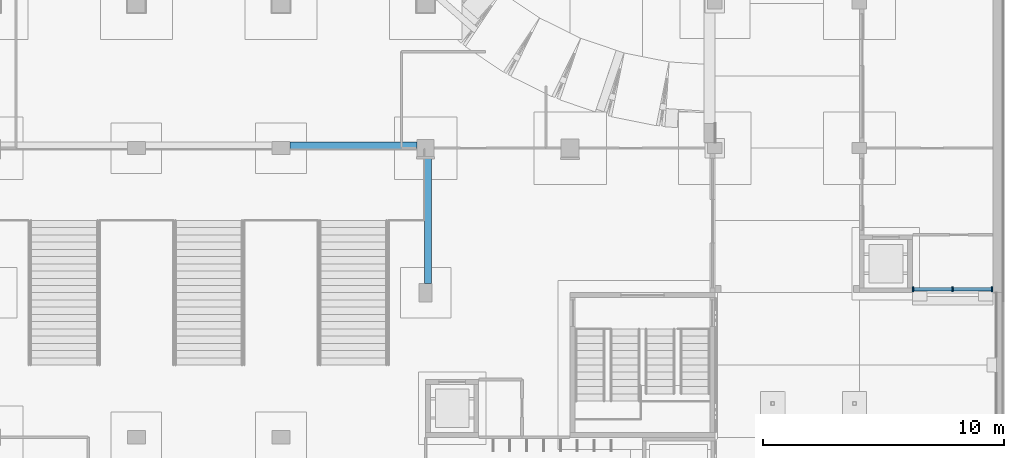
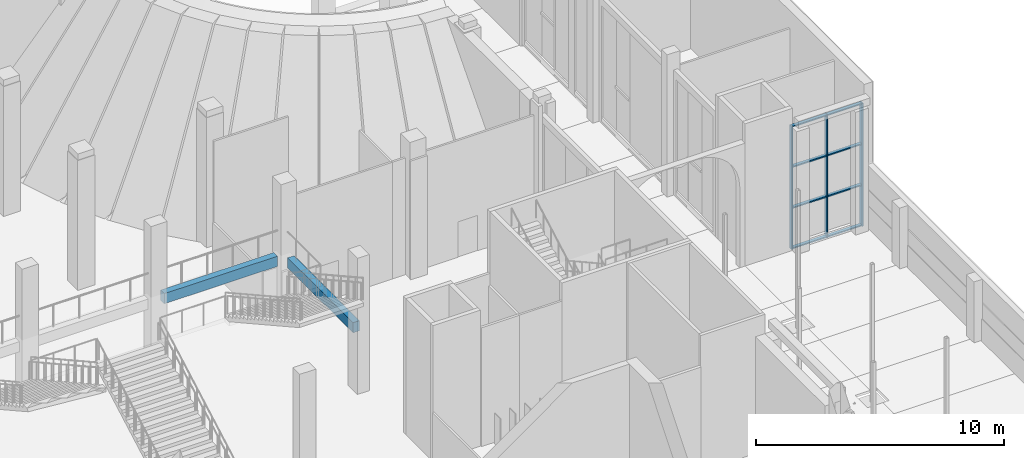
# One storey, part 27 of 95: 11 members, 2 beams, 1 element without a shape of its own.
"""IFC4 building model written with IfcOpenShell, lengths in metres."""

from ifc_helpers import new_model, si_unit, direction, frame, origin, origin_2d, place, context, subcontext, project, spatial, rectangle, extrude, material, material_profile, profile_set, type_object, element, aggregate, save


model = new_model("IFC4")

# Units and contexts
model_context = context("Model", 3, precision=1e-05, world=origin(), true_north=direction((0.0, 1.0)))
body_context = subcontext(model_context, "Body", "Model", "MODEL_VIEW")
ifc_project = project(units=[si_unit("LENGTHUNIT", "METRE"), si_unit("AREAUNIT", "SQUARE_METRE"), si_unit("VOLUMEUNIT", "CUBIC_METRE"), si_unit("PLANEANGLEUNIT", "RADIAN"), si_unit("MASSUNIT", "GRAM", prefix="KILO")], contexts=[model_context])

# Site, building, storey
site_placement = place(None, origin())
site = spatial("IfcSite", under=ifc_project, at=site_placement, CompositionType="ELEMENT")
building_placement = place(site_placement, origin())
building = spatial("IfcBuilding", under=site, at=building_placement, Name="Saffron Lane Theatres", CompositionType="ELEMENT")
storey_placement = place(building_placement, origin())
storey = spatial("IfcBuildingStorey", under=building, at=storey_placement, Name="L00", CompositionType="ELEMENT", Elevation=0.0)

# Curtain wall, members
ifc_material_1 = material(Name="Aluminium", Category="aluminium")
curtain_wall_type = type_object("IfcCurtainWallType", Name="EX-CURTAIN WALL 3340x6050x200", PredefinedType="NOTDEFINED", material=ifc_material_1)
curtain_wall_placement = place(storey_placement, origin())
curtain_wall = element("IfcCurtainWall", 1, at=curtain_wall_placement, inside=storey, type_object=curtain_wall_type, Name="Curtain wall L00 17", PredefinedType="NOTDEFINED")
ifc_material_2 = material(Name="Aluminium", Category="aluminium")
ifc_material_profile_1 = material_profile(ifc_material_2, rectangle(XDim=0.06005859375, YDim=0.199951171875, at=origin_2d()))
ifc_profile_set_1 = profile_set([ifc_material_profile_1], Name="Aluminium")
member_type_1 = type_object("IfcMemberType", Name="EX-CW MULLION 60x200", PredefinedType="MULLION", material=ifc_profile_set_1)
member_1_placement = place(storey_placement, frame((65.510009765625, 102.14990234375, 0.0), z_axis=(0.0, 0.0, 1.0), x_axis=(-1.0, 0.0, 0.0)))
member_1 = element("IfcMember", 2, at=member_1_placement, type_object=member_type_1, Name="CW-00-17 mullion 1", PredefinedType="MULLION", context=body_context, shape_type="SweptSolid", body=[
    extrude(rectangle(XDim=0.06005859375, YDim=0.199951171875, at=origin_2d()), origin(), (0.0, 0.0, 1.0), 6.050048828125),
])
member_2_placement = place(storey_placement, frame((63.869873046875, 102.14990234375, 0.0), z_axis=(0.0, 0.0, 1.0), x_axis=(-1.0, 0.0, 0.0)))
member_2 = element("IfcMember", 3, at=member_2_placement, type_object=member_type_1, Name="CW-00-17 mullion 2", PredefinedType="MULLION", context=body_context, shape_type="SweptSolid", body=[
    extrude(rectangle(XDim=0.06005859375, YDim=0.199951171875, at=origin_2d()), origin(), (0.0, 0.0, 1.0), 6.050048828125),
])
member_3_placement = place(storey_placement, frame((62.22998046875, 102.14990234375, 0.0), z_axis=(0.0, 0.0, 1.0), x_axis=(-1.0, 0.0, 0.0)))
member_3 = element("IfcMember", 4, at=member_3_placement, type_object=member_type_1, Name="CW-00-17 mullion 3", PredefinedType="MULLION", context=body_context, shape_type="SweptSolid", body=[
    extrude(rectangle(XDim=0.06005859375, YDim=0.199951171875, at=origin_2d()), origin(), (0.0, 0.0, 1.0), 6.050048828125),
])
ifc_material_3 = material(Name="Aluminium", Category="aluminium")
ifc_material_profile_2 = material_profile(ifc_material_3, rectangle(XDim=0.14990234375, YDim=0.06005859375, at=origin_2d()))
ifc_profile_set_2 = profile_set([ifc_material_profile_2], Name="Aluminium")
member_type_2 = type_object("IfcMemberType", Name="EX-CW TRANSOM 150x60", PredefinedType="USERDEFINED", material=ifc_profile_set_2)
member_4_placement = place(storey_placement, frame((65.47998046875, 102.14990234375, 0.030029296875), z_axis=(-1.0, 0.0, 0.0), x_axis=(0.0, -1.0, 0.0)))
member_4 = element("IfcMember", 5, at=member_4_placement, type_object=member_type_2, Name="CW-00-17 transom 1.1", ObjectType="TRANSOM", PredefinedType="USERDEFINED", context=body_context, shape_type="SweptSolid", body=[
    extrude(rectangle(XDim=0.14990234375, YDim=0.06005859375, at=origin_2d()), origin(), (0.0, 0.0, 1.0), 1.580078125),
])
member_5_placement = place(storey_placement, frame((65.47998046875, 102.14990234375, 2.0166015625), z_axis=(-1.0, 0.0, 0.0), x_axis=(0.0, -1.0, 0.0)))
member_5 = element("IfcMember", 6, at=member_5_placement, type_object=member_type_2, Name="CW-00-17 transom 1.2", ObjectType="TRANSOM", PredefinedType="USERDEFINED", context=body_context, shape_type="SweptSolid", body=[
    extrude(rectangle(XDim=0.14990234375, YDim=0.06005859375, at=origin_2d()), origin(), (0.0, 0.0, 1.0), 1.580078125),
])
member_6_placement = place(storey_placement, frame((65.47998046875, 102.14990234375, 4.033447265625), z_axis=(-1.0, 0.0, 0.0), x_axis=(0.0, -1.0, 0.0)))
member_6 = element("IfcMember", 7, at=member_6_placement, type_object=member_type_2, Name="CW-00-17 transom 1.3", ObjectType="TRANSOM", PredefinedType="USERDEFINED", context=body_context, shape_type="SweptSolid", body=[
    extrude(rectangle(XDim=0.14990234375, YDim=0.06005859375, at=origin_2d()), origin(), (0.0, 0.0, 1.0), 1.580078125),
])
member_7_placement = place(storey_placement, frame((65.47998046875, 102.14990234375, 6.02001953125), z_axis=(-1.0, 0.0, 0.0), x_axis=(0.0, -1.0, 0.0)))
member_7 = element("IfcMember", 8, at=member_7_placement, type_object=member_type_2, Name="CW-00-17 transom 1.4", ObjectType="TRANSOM", PredefinedType="USERDEFINED", context=body_context, shape_type="SweptSolid", body=[
    extrude(rectangle(XDim=0.14990234375, YDim=0.06005859375, at=origin_2d()), origin(), (0.0, 0.0, 1.0), 1.580078125),
])
member_8_placement = place(storey_placement, frame((63.840087890625, 102.14990234375, 0.030029296875), z_axis=(-1.0, 0.0, 0.0), x_axis=(0.0, -1.0, 0.0)))
member_8 = element("IfcMember", 9, at=member_8_placement, type_object=member_type_2, Name="CW-00-17 transom 2.1", ObjectType="TRANSOM", PredefinedType="USERDEFINED", context=body_context, shape_type="SweptSolid", body=[
    extrude(rectangle(XDim=0.14990234375, YDim=0.06005859375, at=origin_2d()), origin(), (0.0, 0.0, 1.0), 1.580078125),
])
member_9_placement = place(storey_placement, frame((63.840087890625, 102.14990234375, 2.0166015625), z_axis=(-1.0, 0.0, 0.0), x_axis=(0.0, -1.0, 0.0)))
member_9 = element("IfcMember", 10, at=member_9_placement, type_object=member_type_2, Name="CW-00-17 transom 2.2", ObjectType="TRANSOM", PredefinedType="USERDEFINED", context=body_context, shape_type="SweptSolid", body=[
    extrude(rectangle(XDim=0.14990234375, YDim=0.06005859375, at=origin_2d()), origin(), (0.0, 0.0, 1.0), 1.580078125),
])
member_10_placement = place(storey_placement, frame((63.840087890625, 102.14990234375, 4.033447265625), z_axis=(-1.0, 0.0, 0.0), x_axis=(0.0, -1.0, 0.0)))
member_10 = element("IfcMember", 11, at=member_10_placement, type_object=member_type_2, Name="CW-00-17 transom 2.3", ObjectType="TRANSOM", PredefinedType="USERDEFINED", context=body_context, shape_type="SweptSolid", body=[
    extrude(rectangle(XDim=0.14990234375, YDim=0.06005859375, at=origin_2d()), origin(), (0.0, 0.0, 1.0), 1.580078125),
])
member_11_placement = place(storey_placement, frame((63.840087890625, 102.14990234375, 6.02001953125), z_axis=(-1.0, 0.0, 0.0), x_axis=(0.0, -1.0, 0.0)))
member_11 = element("IfcMember", 12, at=member_11_placement, type_object=member_type_2, Name="CW-00-17 transom 2.4", ObjectType="TRANSOM", PredefinedType="USERDEFINED", context=body_context, shape_type="SweptSolid", body=[
    extrude(rectangle(XDim=0.14990234375, YDim=0.06005859375, at=origin_2d()), origin(), (0.0, 0.0, 1.0), 1.580078125),
])
aggregate(curtain_wall, [member_1, member_2, member_3, member_4, member_5, member_6, member_7, member_8, member_9, member_10, member_11])

# Beams
ifc_material_4 = material(Name="Concrete N40 (40 MPa)", Category="concrete")
ifc_material_profile_3 = material_profile(ifc_material_4, rectangle(XDim=0.300048828125, YDim=0.5, at=origin_2d()))
ifc_profile_set_3 = profile_set([ifc_material_profile_3], Name="Concrete N40 (40 MPa)")
beam_type = type_object("IfcBeamType", Name="VC-LANDING BEAM 300x500", PredefinedType="BEAM", material=ifc_profile_set_3)
for number, where, z_axis, x_axis, name in (
    (13, (42.10009765625, 102.375, 3.050048828125), (0.0, 1.0, 0.0), (-1.0, 0.0, 0.0), "Landing beam 2"),
    (14, (36.375, 108.10009765625, 3.050048828125), (1.0, 0.0, 0.0), (0.0, 1.0, 0.0), "Landing beam 5"),
):
    element("IfcBeam", number, at=place(storey_placement, frame(where, z_axis=z_axis, x_axis=x_axis)), inside=storey, type_object=beam_type, Name=name, PredefinedType="BEAM", context=body_context, shape_type="SweptSolid", body=[
        extrude(rectangle(XDim=0.300048828125, YDim=0.5, at=origin_2d()), origin(), (0.0, 0.0, 1.0), 5.27490234375),
    ])

save(model, "model.ifc")
